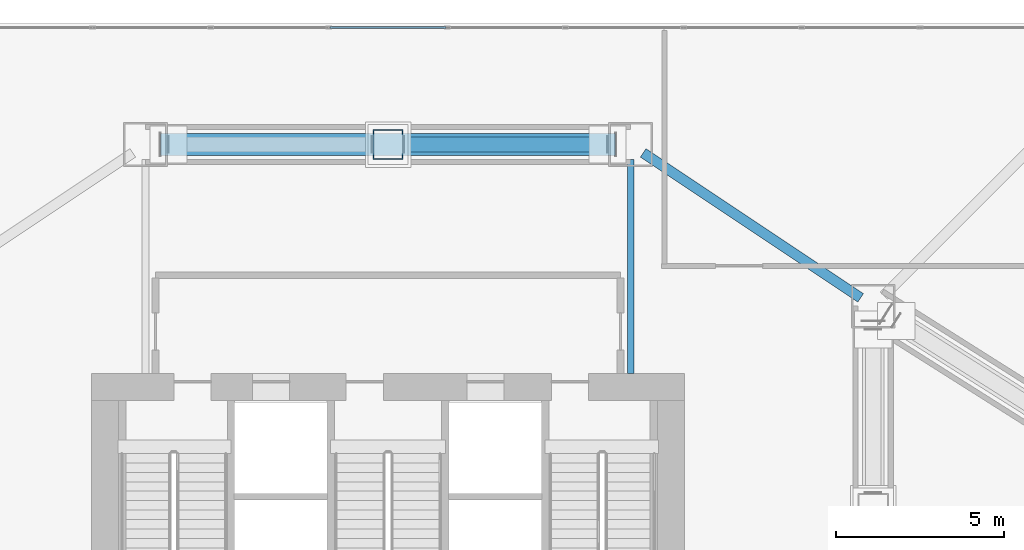
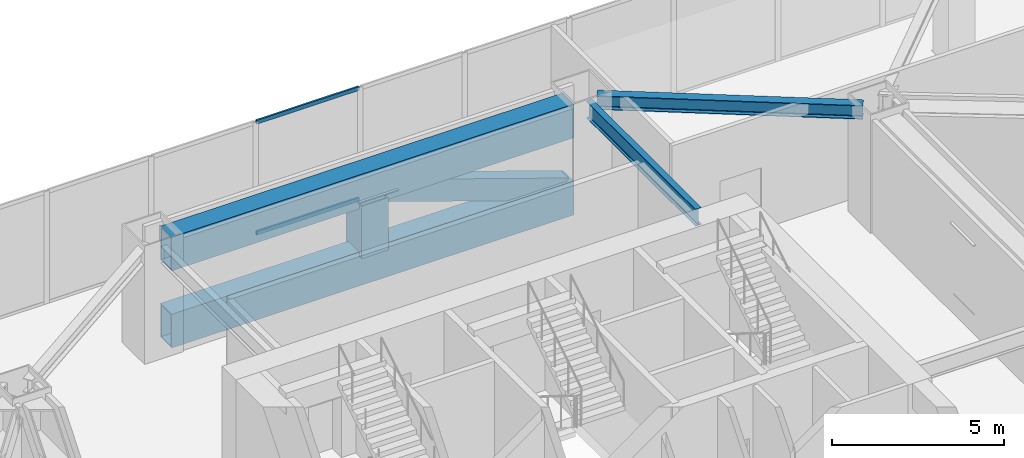
# One storey, part 14 of 39: 4 beams, 4 members, 1 element without a shape of its own.
"""IFC4 building model written with IfcOpenShell, lengths in metres."""

from ifc_helpers import new_model, si_unit, direction, frame, origin, origin_2d, place, context, subcontext, project, spatial, hollow_rectangle, i_section, extrude, material, layer, layer_set, material_profile, profile_set, type_object, element, aggregate, save


model = new_model("IFC4")

# Units and contexts
model_context = context("Model", 3, precision=1e-05, world=origin(), true_north=direction((0.0, 1.0)))
body_context = subcontext(model_context, "Body", "Model", "MODEL_VIEW")
ifc_project = project(units=[si_unit("LENGTHUNIT", "METRE"), si_unit("AREAUNIT", "SQUARE_METRE"), si_unit("VOLUMEUNIT", "CUBIC_METRE"), si_unit("PLANEANGLEUNIT", "RADIAN"), si_unit("MASSUNIT", "GRAM", prefix="KILO")], contexts=[model_context])

# Site, building, storey
site_placement = place(None, origin())
site = spatial("IfcSite", under=ifc_project, at=site_placement, CompositionType="ELEMENT")
building_placement = place(site_placement, origin())
building = spatial("IfcBuilding", under=site, at=building_placement, Name="Haolan Belvedere Tower", CompositionType="ELEMENT")
storey_placement = place(building_placement, frame((0.0, 0.0, 19.800048828125)))
storey = spatial("IfcBuildingStorey", under=building, at=storey_placement, Name="L04", CompositionType="ELEMENT", Elevation=19.800048828125)

# Beams
ifc_material_1 = material(Name="Steel Q420GJC", Category="steel")
ifc_material_profile_1 = material_profile(ifc_material_1, hollow_rectangle(XDim=0.64990234375, YDim=1.199951171875, WallThickness=0.0400390625, at=origin_2d()), Name="Steel Q420GJC")
ifc_profile_set_1 = profile_set([ifc_material_profile_1], Name="Steel Q420GJC")
beam_type_1 = type_object("IfcBeamType", Name="BM-BOX1200x650x40", PredefinedType="BEAM", material=ifc_profile_set_1)
for number, where, z_axis, x_axis, name in (
    (1, (31.64990234375, 50.39990234375, 3.33984375), (1.0, 0.0, 0.0), (0.0, 1.0, 0.0), "L04 transfer truss TT-T3-NM top chord"),
    (2, (31.64990234375, 50.39990234375, 0.599853515625), (1.0, 0.0, 0.0), (0.0, 1.0, 0.0), "L04 transfer truss TT-T3-NM bottom chord"),
):
    element("IfcBeam", number, at=place(storey_placement, frame(where, z_axis=z_axis, x_axis=x_axis)), inside=storey, type_object=beam_type_1, Name=name, PredefinedType="BEAM", context=body_context, shape_type="SweptSolid", body=[
        extrude(hollow_rectangle(XDim=0.64990234375, YDim=1.199951171875, WallThickness=0.0400390625, at=origin_2d()), origin(), (0.0, 0.0, 1.0), 13.5),
    ])
ifc_material_2 = material(Name="Steel Q355B", Category="steel")
ifc_material_profile_2 = material_profile(ifc_material_2, i_section(OverallWidth=0.300048828125, OverallDepth=0.488037109375, WebThickness=0.010986328125, FlangeThickness=0.01806640625, FilletRadius=0.02587890625, at=origin_2d()), Name="Steel Q355B")
ifc_profile_set_2 = profile_set([ifc_material_profile_2], Name="Steel Q355B")
beam_type_2 = type_object("IfcBeamType", Name="BM-HM488x300x11x18", PredefinedType="SPANDREL", material=ifc_profile_set_2)
beam_1_placement = place(storey_placement, frame((45.974365234375, 50.150390625, 3.755859375), z_axis=(0.832050294338, -0.554700196225, 0.0), x_axis=(0.554700196225, 0.832050294338, 0.0)))
element("IfcBeam", 3, at=beam_1_placement, inside=storey, type_object=beam_type_2, Name="L04 spandrel girder MC-T3-N2-MC-T3-NE", PredefinedType="SPANDREL", context=body_context, shape_type="SweptSolid", body=[
    extrude(i_section(OverallWidth=0.300048828125, OverallDepth=0.488037109375, WebThickness=0.010986328125, FlangeThickness=0.01806640625, FilletRadius=0.02587890625, at=origin_2d()), origin(), (0.0, 0.0, 1.0), 7.75341796875),
])
ifc_material_profile_3 = material_profile(ifc_material_2, i_section(OverallWidth=0.199951171875, OverallDepth=0.60009765625, WebThickness=0.010986328125, FlangeThickness=0.01708984375, FilletRadius=0.02197265625, at=origin_2d()), Name="Steel Q355B")
ifc_profile_set_3 = profile_set([ifc_material_profile_3], Name="Steel Q355B")
beam_type_3 = type_object("IfcBeamType", Name="BM-HN600x200x11x17", PredefinedType="BEAM", material=ifc_profile_set_3)
beam_2_placement = place(storey_placement, frame((45.60009765625, 49.949951171875, 3.699951171875), z_axis=(0.0, -1.0, 0.0), x_axis=(1.0, 0.0, 0.0)))
element("IfcBeam", 4, at=beam_2_placement, inside=storey, type_object=beam_type_3, Name="L04 core tie beam from MC-T3-N2", PredefinedType="BEAM", context=body_context, shape_type="SweptSolid", body=[
    extrude(i_section(OverallWidth=0.199951171875, OverallDepth=0.60009765625, WebThickness=0.010986328125, FlangeThickness=0.01708984375, FilletRadius=0.02197265625, at=origin_2d()), origin(), (0.0, 0.0, 1.0), 6.349853515625),
])

# Curtain wall, members
ifc_material_3 = material(Name="Anodised champagne-silver aluminium 6063-T6 and Low-E glass", Category="aluminium")
ifc_layer = layer(ifc_material_3, 0.179931640625, Name="Anodised champagne-silver aluminium 6063-T6 and Low-E glass")
ifc_layer_set = layer_set([ifc_layer], Name="Anodised champagne-silver aluminium 6063-T6 and Low-E glass")
curtain_wall_type = type_object("IfcCurtainWallType", Name="CW-SYS-01", PredefinedType="NOTDEFINED", material=ifc_layer_set)
curtain_wall_placement = place(storey_placement, origin())
curtain_wall = element("IfcCurtainWall", 5, at=curtain_wall_placement, inside=storey, type_object=curtain_wall_type, Name="L04 CW-SYS-01 ribbon curtain wall 3.1", PredefinedType="NOTDEFINED")
ifc_material_4 = material(Name="Anodised aluminium 6063-T6", Category="aluminium")
ifc_material_profile_4 = material_profile(ifc_material_4, hollow_rectangle(XDim=0.06005859375, YDim=0.139892578125, WallThickness=0.00390625, at=origin_2d()), Name="Anodised aluminium 6063-T6")
ifc_profile_set_4 = profile_set([ifc_material_profile_4], Name="Anodised aluminium 6063-T6")
member_type_1 = type_object("IfcMemberType", Name="CW-SYS-01-TRN", PredefinedType="USERDEFINED", material=ifc_profile_set_4)
member_1_placement = place(storey_placement, frame((40.121826171875, 53.8701171875, 0.030029296875), z_axis=(-1.0, 0.0, 0.0), x_axis=(0.0, -1.0, 0.0)))
member_1 = element("IfcMember", 6, at=member_1_placement, type_object=member_type_1, Name="CW-01 transom 10.1", ObjectType="TRANSOM", PredefinedType="USERDEFINED", context=body_context, shape_type="SweptSolid", body=[
    extrude(hollow_rectangle(XDim=0.06005859375, YDim=0.139892578125, WallThickness=0.00390625, at=origin_2d()), origin(), (0.0, 0.0, 1.0), 3.443603515625),
])
member_2_placement = place(storey_placement, frame((40.121826171875, 53.8701171875, 3.969970703125), z_axis=(-1.0, 0.0, 0.0), x_axis=(0.0, -1.0, 0.0)))
member_2 = element("IfcMember", 7, at=member_2_placement, type_object=member_type_1, Name="CW-01 transom 10.2", ObjectType="TRANSOM", PredefinedType="USERDEFINED", context=body_context, shape_type="SweptSolid", body=[
    extrude(hollow_rectangle(XDim=0.06005859375, YDim=0.139892578125, WallThickness=0.00390625, at=origin_2d()), origin(), (0.0, 0.0, 1.0), 3.443603515625),
])
aggregate(curtain_wall, [member_1, member_2])

# Members
ifc_material_5 = material(Name="Steel Q390GJC", Category="steel")
ifc_material_profile_5 = material_profile(ifc_material_5, hollow_rectangle(XDim=0.449951171875, YDim=0.75, WallThickness=0.028076171875, at=origin_2d()), Name="Steel Q390GJC")
ifc_profile_set_5 = profile_set([ifc_material_profile_5], Name="Steel Q390GJC")
member_type_2 = type_object("IfcMemberType", Name="MEM-BOX750x450x28", PredefinedType="BRACE", material=ifc_profile_set_5)
member_3_placement = place(storey_placement, frame((44.909912109375, 50.39990234375, 0.93994140625), z_axis=(-0.94630069303, 0.0, 0.323287794963), x_axis=(0.0, -1.0, 0.0)))
element("IfcMember", 8, at=member_3_placement, inside=storey, type_object=member_type_2, Name="L04 transfer truss TT-T3-NM web diagonal 2", PredefinedType="BRACE", context=body_context, shape_type="SweptSolid", body=[
    extrude(hollow_rectangle(XDim=0.449951171875, YDim=0.75, WallThickness=0.028076171875, at=origin_2d()), origin(), (0.0, 0.0, 1.0), 6.372314453125),
])
ifc_material_profile_6 = material_profile(ifc_material_5, hollow_rectangle(XDim=0.89990234375, YDim=0.89990234375, WallThickness=0.033935546875, at=origin_2d()), Name="Steel Q390GJC")
ifc_profile_set_6 = profile_set([ifc_material_profile_6], Name="Steel Q390GJC")
member_type_3 = type_object("IfcMemberType", Name="MEM-BOX900x900x34", PredefinedType="POST", material=ifc_profile_set_6)
member_4_placement = place(storey_placement, frame((38.39990234375, 50.39990234375, 1.0400390625), z_axis=(0.0, 0.0, 1.0), x_axis=(1.0, 0.0, 0.0)))
element("IfcMember", 9, at=member_4_placement, inside=storey, type_object=member_type_3, Name="L04 transfer truss TT-T3-NM web post", PredefinedType="POST", context=body_context, shape_type="SweptSolid", body=[
    extrude(hollow_rectangle(XDim=0.89990234375, YDim=0.89990234375, WallThickness=0.033935546875, at=origin_2d()), origin(), (0.0, 0.0, 1.0), 1.85986328125),
])

save(model, "model.ifc")
